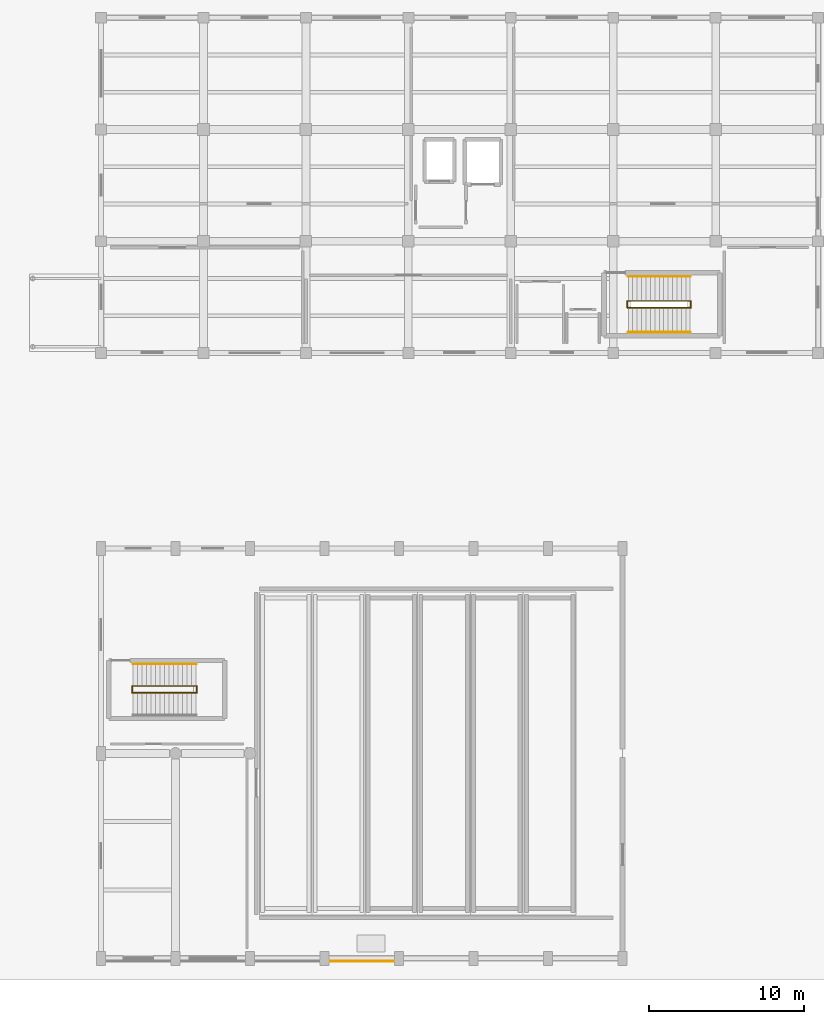
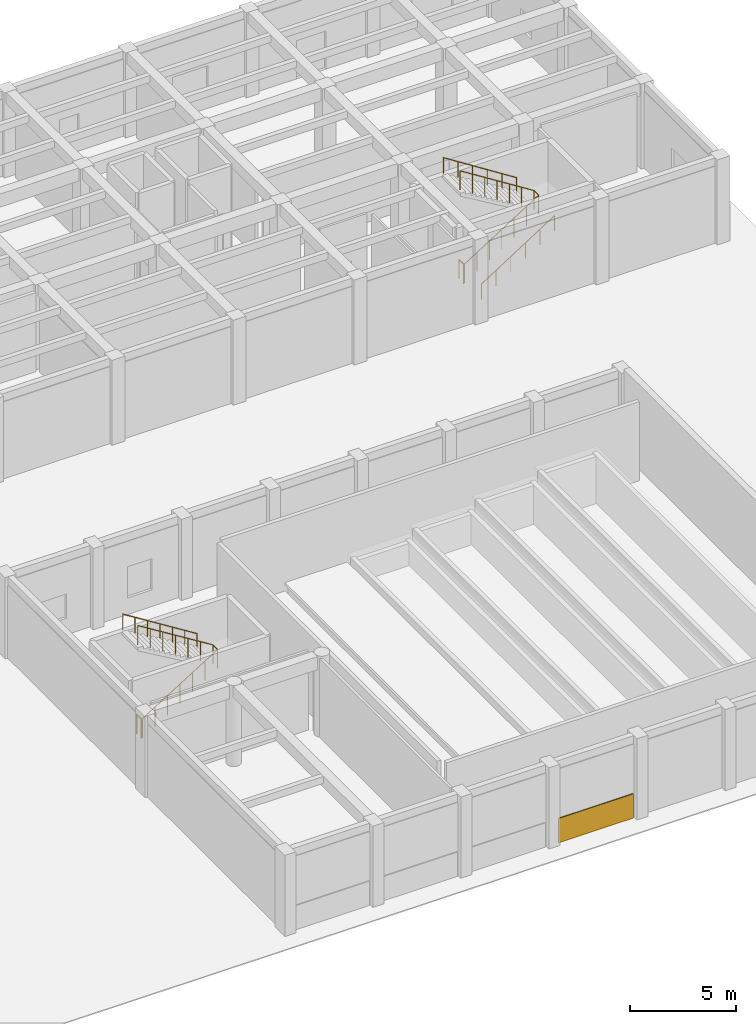
# One storey, part 57 of 57: 7 railings, 1 covering.
"""IFC4 building model written with IfcOpenShell, lengths in metres."""

from ifc_helpers import new_model, si_unit, direction, frame, origin, origin_2d, place, context, subcontext, project, spatial, rectangle, circle, extrude, material, layer, layer_set, type_object, element, save


model = new_model("IFC4")

# Units and contexts
model_context = context("Model", 3, precision=1e-05, world=origin(), true_north=direction((0.0, 1.0)))
body_context = subcontext(model_context, "Body", "Model", "MODEL_VIEW")
ifc_project = project(units=[si_unit("LENGTHUNIT", "METRE"), si_unit("AREAUNIT", "SQUARE_METRE"), si_unit("VOLUMEUNIT", "CUBIC_METRE"), si_unit("PLANEANGLEUNIT", "RADIAN"), si_unit("MASSUNIT", "GRAM", prefix="KILO")], contexts=[model_context])

# Site, building, storey
site_placement = place(None, origin())
site = spatial("IfcSite", under=ifc_project, at=site_placement, CompositionType="ELEMENT")
building_placement = place(site_placement, origin())
building = spatial("IfcBuilding", under=site, at=building_placement, Name="Kharisveld Research Institute", CompositionType="ELEMENT")
storey_placement = place(building_placement, origin())
storey = spatial("IfcBuildingStorey", under=building, at=storey_placement, Name="L00", CompositionType="ELEMENT", Elevation=0.0)

# Covering
ifc_material_1 = material(Name="Khomas Mica-Schist Stone", Category="masonry")
ifc_layer = layer(ifc_material_1, 0.054931640625)
ifc_layer_set = layer_set([ifc_layer], Name="CV_CLAD_SCHIST")
covering_type = type_object("IfcCoveringType", Name="CV_CLAD_SCHIST", PredefinedType="CLADDING", material=ifc_layer_set)
covering_placement = place(storey_placement, frame((131.39990234375, 0.001953125, 0.0), z_axis=(0.0, 0.0, 1.0), x_axis=(-1.0, 0.0, 0.0)))
element("IfcCovering", 1, at=covering_placement, inside=storey, type_object=covering_type, Name="COV:V5:L00:SCHIST_S4", PredefinedType="CLADDING", context=body_context, shape_type="SweptSolid", body=[
    extrude(rectangle(XDim=4.090087890625, YDim=0.054931640625, at=origin_2d()), origin(), (0.0, 0.0, 1.0), 1.39990234375),
])

# Railings
ifc_material_2 = material(Name="Steel S355JR", Category="steel")
railing_type_1 = type_object("IfcRailingType", Name="RL_GRD_STR", PredefinedType="GUARDRAIL", material=ifc_material_2)
railing_1_placement = place(storey_placement, frame((148.570068359375, 42.110107421875, 0.0)))
element("IfcRailing", 2, at=railing_1_placement, inside=storey, type_object=railing_type_1, Name="RLG:ST3:L00:GRD_SLOT", PredefinedType="GUARDRAIL", context=body_context, shape_type="SweptSolid", body=[
    extrude(circle(Radius=0.02392578125, at=origin_2d()), frame((0.0, 0.0, 1.09619140625), z_axis=(0.84503729466, 0.0, 0.53470736916), x_axis=(0.0, 1.0, 0.0)), (0.0, 0.0, 1.0), 4.76904296875),
    extrude(circle(Radius=0.02392578125, at=origin_2d()), frame((4.030029296875, 0.0, 3.64599609375), z_axis=(0.0, 1.0, 0.0), x_axis=(-1.0, 0.0, 0.0)), (0.0, 0.0, 1.0), 0.43994140625),
    extrude(circle(Radius=0.02392578125, at=origin_2d()), frame((4.030029296875, 0.43994140625, 3.64599609375), z_axis=(-0.84503729466, 0.0, 0.53470736916), x_axis=(0.0, -1.0, 0.0)), (0.0, 0.0, 1.0), 4.76904296875),
    extrude(circle(Radius=0.02099609375, at=origin_2d()), origin(), (0.0, 0.0, 1.0), 1.072021484375),
    extrude(circle(Radius=0.02099609375, at=origin_2d()), frame((0.671630859375, 0.0, 0.425048828125)), (0.0, 0.0, 1.0), 1.072021484375),
    extrude(circle(Radius=0.02099609375, at=origin_2d()), frame((1.34326171875, 0.0, 0.85009765625)), (0.0, 0.0, 1.0), 1.072021484375),
    extrude(circle(Radius=0.02099609375, at=origin_2d()), frame((2.01513671875, 0.0, 1.27490234375)), (0.0, 0.0, 1.0), 1.072021484375),
    extrude(circle(Radius=0.02099609375, at=origin_2d()), frame((2.686767578125, 0.0, 1.699951171875)), (0.0, 0.0, 1.0), 1.072021484375),
    extrude(circle(Radius=0.02099609375, at=origin_2d()), frame((3.3583984375, 0.0, 2.125)), (0.0, 0.0, 1.0), 1.072021484375),
    extrude(circle(Radius=0.02099609375, at=origin_2d()), frame((4.030029296875, 0.0, 2.550048828125)), (0.0, 0.0, 1.0), 1.072021484375),
    extrude(circle(Radius=0.02099609375, at=origin_2d()), frame((4.030029296875, 0.43994140625, 2.550048828125)), (0.0, 0.0, 1.0), 1.072021484375),
    extrude(circle(Radius=0.02099609375, at=origin_2d()), frame((3.3583984375, 0.43994140625, 2.97509765625)), (0.0, 0.0, 1.0), 1.072021484375),
    extrude(circle(Radius=0.02099609375, at=origin_2d()), frame((2.686767578125, 0.43994140625, 3.400146484375)), (0.0, 0.0, 1.0), 1.072021484375),
    extrude(circle(Radius=0.02099609375, at=origin_2d()), frame((2.01513671875, 0.43994140625, 3.8251953125)), (0.0, 0.0, 1.0), 1.072021484375),
    extrude(circle(Radius=0.02099609375, at=origin_2d()), frame((1.34326171875, 0.43994140625, 4.25)), (0.0, 0.0, 1.0), 1.072021484375),
    extrude(circle(Radius=0.02099609375, at=origin_2d()), frame((0.671630859375, 0.43994140625, 4.675048828125)), (0.0, 0.0, 1.0), 1.072021484375),
    extrude(circle(Radius=0.02099609375, at=origin_2d()), frame((0.0, 0.43994140625, 5.10009765625)), (0.0, 0.0, 1.0), 1.072021484375),
])
railing_2_placement = place(storey_placement, frame((148.510009765625, 42.110107421875, 0.0)))
element("IfcRailing", 3, at=railing_2_placement, inside=storey, type_object=railing_type_1, Name="RLG:ST3:L00:GRD_FLRSLOT", PredefinedType="GUARDRAIL", context=body_context, shape_type="SweptSolid", body=[
    extrude(circle(Radius=0.02392578125, at=origin_2d()), frame((0.0, 0.0, 1.09619140625), z_axis=(0.0, 1.0, 0.0), x_axis=(-1.0, 0.0, 0.0)), (0.0, 0.0, 1.0), 0.43994140625),
    extrude(circle(Radius=0.02099609375, at=origin_2d()), origin(), (0.0, 0.0, 1.0), 1.072021484375),
    extrude(circle(Radius=0.02099609375, at=origin_2d()), frame((0.0, 0.43994140625, 0.0)), (0.0, 0.0, 1.0), 1.072021484375),
])
railing_3_placement = place(storey_placement, frame((116.669921875, 17.300048828125, 0.0)))
element("IfcRailing", 4, at=railing_3_placement, inside=storey, type_object=railing_type_1, Name="RLG:ST6:L00:GRD_SLOT", PredefinedType="GUARDRAIL", context=body_context, shape_type="SweptSolid", body=[
    extrude(circle(Radius=0.02392578125, at=origin_2d()), frame((0.0, 0.0, 1.09619140625), z_axis=(0.849160918005, 0.0, 0.52813420201), x_axis=(0.0, 1.0, 0.0)), (0.0, 0.0, 1.0), 4.828369140625),
    extrude(circle(Radius=0.02392578125, at=origin_2d()), frame((4.10009765625, 0.0, 3.64599609375), z_axis=(0.0, 1.0, 0.0), x_axis=(-1.0, 0.0, 0.0)), (0.0, 0.0, 1.0), 0.43994140625),
    extrude(circle(Radius=0.02392578125, at=origin_2d()), frame((4.10009765625, 0.43994140625, 3.64599609375), z_axis=(-0.849160918005, 0.0, 0.52813420201), x_axis=(0.0, -1.0, 0.0)), (0.0, 0.0, 1.0), 4.828369140625),
    extrude(circle(Radius=0.02099609375, at=origin_2d()), origin(), (0.0, 0.0, 1.0), 1.072021484375),
    extrude(circle(Radius=0.02099609375, at=origin_2d()), frame((0.683349609375, 0.0, 0.425048828125)), (0.0, 0.0, 1.0), 1.072021484375),
    extrude(circle(Radius=0.02099609375, at=origin_2d()), frame((1.36669921875, 0.0, 0.85009765625)), (0.0, 0.0, 1.0), 1.072021484375),
    extrude(circle(Radius=0.02099609375, at=origin_2d()), frame((2.050048828125, 0.0, 1.27490234375)), (0.0, 0.0, 1.0), 1.072021484375),
    extrude(circle(Radius=0.02099609375, at=origin_2d()), frame((2.7333984375, 0.0, 1.699951171875)), (0.0, 0.0, 1.0), 1.072021484375),
    extrude(circle(Radius=0.02099609375, at=origin_2d()), frame((3.416748046875, 0.0, 2.125)), (0.0, 0.0, 1.0), 1.072021484375),
    extrude(circle(Radius=0.02099609375, at=origin_2d()), frame((4.10009765625, 0.0, 2.550048828125)), (0.0, 0.0, 1.0), 1.072021484375),
    extrude(circle(Radius=0.02099609375, at=origin_2d()), frame((4.10009765625, 0.43994140625, 2.550048828125)), (0.0, 0.0, 1.0), 1.072021484375),
    extrude(circle(Radius=0.02099609375, at=origin_2d()), frame((3.416748046875, 0.43994140625, 2.97509765625)), (0.0, 0.0, 1.0), 1.072021484375),
    extrude(circle(Radius=0.02099609375, at=origin_2d()), frame((2.7333984375, 0.43994140625, 3.400146484375)), (0.0, 0.0, 1.0), 1.072021484375),
    extrude(circle(Radius=0.02099609375, at=origin_2d()), frame((2.050048828125, 0.43994140625, 3.8251953125)), (0.0, 0.0, 1.0), 1.072021484375),
    extrude(circle(Radius=0.02099609375, at=origin_2d()), frame((1.36669921875, 0.43994140625, 4.25)), (0.0, 0.0, 1.0), 1.072021484375),
    extrude(circle(Radius=0.02099609375, at=origin_2d()), frame((0.683349609375, 0.43994140625, 4.675048828125)), (0.0, 0.0, 1.0), 1.072021484375),
    extrude(circle(Radius=0.02099609375, at=origin_2d()), frame((0.0, 0.43994140625, 5.10009765625)), (0.0, 0.0, 1.0), 1.072021484375),
])
railing_4_placement = place(storey_placement, frame((116.610107421875, 17.300048828125, 0.0)))
element("IfcRailing", 5, at=railing_4_placement, inside=storey, type_object=railing_type_1, Name="RLG:ST6:L00:GRD_FLRSLOT", PredefinedType="GUARDRAIL", context=body_context, shape_type="SweptSolid", body=[
    extrude(circle(Radius=0.02392578125, at=origin_2d()), frame((0.0, 0.0, 1.09619140625), z_axis=(0.0, 1.0, 0.0), x_axis=(-1.0, 0.0, 0.0)), (0.0, 0.0, 1.0), 0.43994140625),
    extrude(circle(Radius=0.02099609375, at=origin_2d()), origin(), (0.0, 0.0, 1.0), 1.072021484375),
    extrude(circle(Radius=0.02099609375, at=origin_2d()), frame((0.0, 0.43994140625, 0.0)), (0.0, 0.0, 1.0), 1.072021484375),
])
ifc_material_3 = material(Name="Stainless Steel 316", Category="steel")
railing_type_2 = type_object("IfcRailingType", Name="RL_HND_STR", PredefinedType="HANDRAIL", material=ifc_material_3)
railing_5_placement = place(storey_placement, frame((148.570068359375, 40.530029296875, 0.0)))
element("IfcRailing", 6, at=railing_5_placement, inside=storey, type_object=railing_type_2, Name="RLG:ST3:L00:HR1", PredefinedType="HANDRAIL", context=body_context, shape_type="SweptSolid", body=[
    extrude(circle(Radius=0.02392578125, at=origin_2d()), frame((0.0, 0.0, 0.89599609375), z_axis=(0.842611129269, 0.0, 0.538522501696), x_axis=(0.0, 1.0, 0.0)), (0.0, 0.0, 1.0), 4.7353515625),
    extrude(circle(Radius=0.02099609375, at=origin_2d()), origin(), (0.0, 0.0, 1.0), 0.871826171875),
    extrude(circle(Radius=0.02099609375, at=origin_2d()), frame((0.798095703125, 0.0, 0.510009765625)), (0.0, 0.0, 1.0), 0.871826171875),
    extrude(circle(Radius=0.02099609375, at=origin_2d()), frame((1.595947265625, 0.0, 1.02001953125)), (0.0, 0.0, 1.0), 0.871826171875),
    extrude(circle(Radius=0.02099609375, at=origin_2d()), frame((2.39404296875, 0.0, 1.530029296875)), (0.0, 0.0, 1.0), 0.871826171875),
    extrude(circle(Radius=0.02099609375, at=origin_2d()), frame((3.19189453125, 0.0, 2.0400390625)), (0.0, 0.0, 1.0), 0.871826171875),
    extrude(circle(Radius=0.02099609375, at=origin_2d()), frame((3.989990234375, 0.0, 2.550048828125)), (0.0, 0.0, 1.0), 0.871826171875),
])
railing_6_placement = place(storey_placement, frame((152.56005859375, 44.1298828125, 2.550048828125)))
element("IfcRailing", 7, at=railing_6_placement, inside=storey, type_object=railing_type_2, Name="RLG:ST3:L00:HR2", PredefinedType="HANDRAIL", context=body_context, shape_type="SweptSolid", body=[
    extrude(circle(Radius=0.02392578125, at=origin_2d()), frame((0.0, 0.0, 0.89599609375), z_axis=(-0.842611129269, 0.0, 0.538522501696), x_axis=(0.0, -1.0, 0.0)), (0.0, 0.0, 1.0), 4.7353515625),
    extrude(circle(Radius=0.02099609375, at=origin_2d()), origin(), (0.0, 0.0, 1.0), 0.871826171875),
    extrude(circle(Radius=0.02099609375, at=origin_2d()), frame((-0.798095703125, 0.0, 0.510009765625)), (0.0, 0.0, 1.0), 0.871826171875),
    extrude(circle(Radius=0.02099609375, at=origin_2d()), frame((-1.595947265625, 0.0, 1.02001953125)), (0.0, 0.0, 1.0), 0.871826171875),
    extrude(circle(Radius=0.02099609375, at=origin_2d()), frame((-2.39404296875, 0.0, 1.530029296875)), (0.0, 0.0, 1.0), 0.871826171875),
    extrude(circle(Radius=0.02099609375, at=origin_2d()), frame((-3.19189453125, 0.0, 2.0400390625)), (0.0, 0.0, 1.0), 0.871826171875),
    extrude(circle(Radius=0.02099609375, at=origin_2d()), frame((-3.989990234375, 0.0, 2.550048828125)), (0.0, 0.0, 1.0), 0.871826171875),
])
railing_7_placement = place(storey_placement, frame((120.72998046875, 19.159912109375, 2.550048828125)))
element("IfcRailing", 8, at=railing_7_placement, inside=storey, type_object=railing_type_2, Name="RLG:ST6:L00:HR2", PredefinedType="HANDRAIL", context=body_context, shape_type="SweptSolid", body=[
    extrude(circle(Radius=0.02392578125, at=origin_2d()), frame((0.0, 0.0, 0.89599609375), z_axis=(-0.84682331819, 0.0, 0.531874296963), x_axis=(0.0, -1.0, 0.0)), (0.0, 0.0, 1.0), 4.79443359375),
    extrude(circle(Radius=0.02099609375, at=origin_2d()), origin(), (0.0, 0.0, 1.0), 0.871826171875),
    extrude(circle(Radius=0.02099609375, at=origin_2d()), frame((-0.6767578125, 0.0, 0.425048828125)), (0.0, 0.0, 1.0), 0.871826171875),
    extrude(circle(Radius=0.02099609375, at=origin_2d()), frame((-1.353271484375, 0.0, 0.85009765625)), (0.0, 0.0, 1.0), 0.871826171875),
    extrude(circle(Radius=0.02099609375, at=origin_2d()), frame((-2.030029296875, 0.0, 1.27490234375)), (0.0, 0.0, 1.0), 0.871826171875),
    extrude(circle(Radius=0.02099609375, at=origin_2d()), frame((-2.706787109375, 0.0, 1.699951171875)), (0.0, 0.0, 1.0), 0.871826171875),
    extrude(circle(Radius=0.02099609375, at=origin_2d()), frame((-3.38330078125, 0.0, 2.125)), (0.0, 0.0, 1.0), 0.871826171875),
    extrude(circle(Radius=0.02099609375, at=origin_2d()), frame((-4.06005859375, 0.0, 2.550048828125)), (0.0, 0.0, 1.0), 0.871826171875),
])

save(model, "model.ifc")
